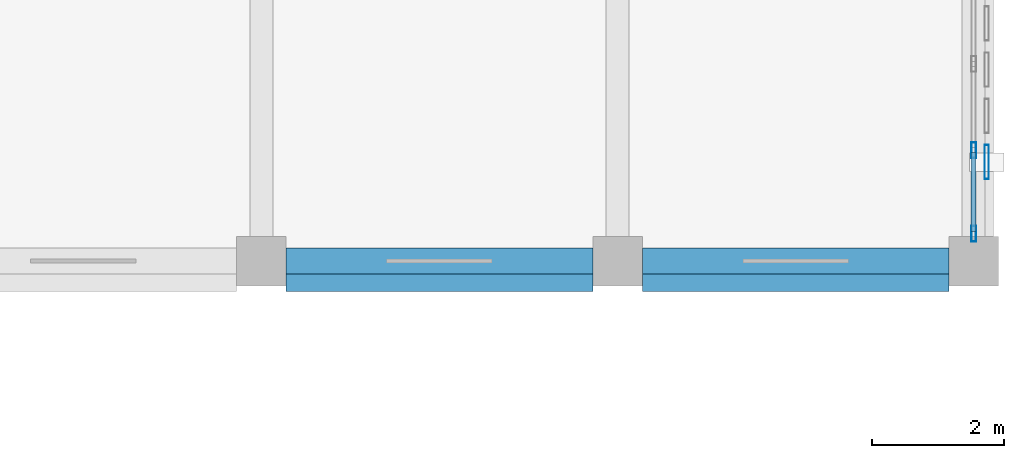
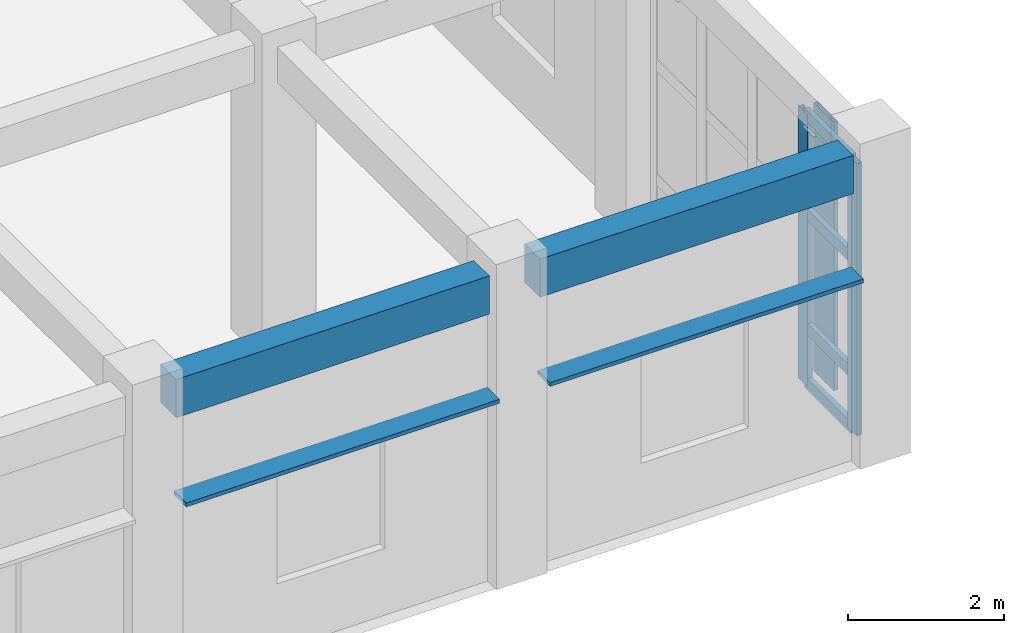
# One storey, part 49 of 93: 9 members, 2 beams, 1 element without a shape of its own.
"""IFC4 building model written with IfcOpenShell, lengths in metres."""

from ifc_helpers import new_model, si_unit, direction, frame, origin, origin_2d, place, context, subcontext, project, spatial, rectangle, hollow_rectangle, extrude, material, layer, layer_set, material_profile, profile_set, type_object, element, aggregate, save


model = new_model("IFC4")

# Units and contexts
model_context = context("Model", 3, precision=1e-05, world=origin(), true_north=direction((0.0, 1.0)))
body_context = subcontext(model_context, "Body", "Model", "MODEL_VIEW")
ifc_project = project(units=[si_unit("LENGTHUNIT", "METRE"), si_unit("AREAUNIT", "SQUARE_METRE"), si_unit("VOLUMEUNIT", "CUBIC_METRE"), si_unit("PLANEANGLEUNIT", "RADIAN"), si_unit("MASSUNIT", "GRAM", prefix="KILO")], contexts=[model_context])

# Site, building, storey
site_placement = place(None, origin())
site = spatial("IfcSite", under=ifc_project, at=site_placement, CompositionType="ELEMENT")
building_placement = place(site_placement, origin())
building = spatial("IfcBuilding", under=site, at=building_placement, Name="Krzemoval Escarpment Law Courts", CompositionType="ELEMENT")
storey_placement = place(building_placement, frame((0.0, 0.0, 10.199951171875)))
storey = spatial("IfcBuildingStorey", under=building, at=storey_placement, Name="L02", CompositionType="ELEMENT", Elevation=10.199951171875)

# Beams
ifc_material_1 = material(Name="Concrete C40/50", Category="concrete")
ifc_material_profile_1 = material_profile(ifc_material_1, rectangle(XDim=0.39990234375, YDim=0.60009765625, at=origin_2d()), Name="RCB 400x600")
ifc_profile_set_1 = profile_set([ifc_material_profile_1], Name="Concrete C40/50")
beam_type = type_object("IfcBeamType", Name="BM-RC-400x600", PredefinedType="BEAM", material=ifc_profile_set_1)
beam_1_placement = place(storey_placement, frame((162.375, 93.60009765625, 4.52001953125), z_axis=(1.0, 0.0, 0.0), x_axis=(0.0, 1.0, 0.0)))
element("IfcBeam", 1, at=beam_1_placement, inside=storey, type_object=beam_type, Name="Beam FG-L02-1817", PredefinedType="BEAM", context=body_context, shape_type="SweptSolid", body=[
    extrude(rectangle(XDim=0.39990234375, YDim=0.60009765625, at=origin_2d()), origin(), (0.0, 0.0, 1.0), 4.64990234375),
])
beam_2_placement = place(storey_placement, frame((167.77490234375, 93.60009765625, 4.52001953125), z_axis=(1.0, 0.0, 0.0), x_axis=(0.0, 1.0, 0.0)))
element("IfcBeam", 2, at=beam_2_placement, inside=storey, type_object=beam_type, Name="Beam FG-L02-1818", PredefinedType="BEAM", context=body_context, shape_type="SweptSolid", body=[
    extrude(rectangle(XDim=0.39990234375, YDim=0.60009765625, at=origin_2d()), origin(), (0.0, 0.0, 1.0), 4.650146484375),
])

# Curtain wall, members
ifc_material_2 = material(Name="Aluminium 6063-T6", Category="aluminium")
ifc_layer = layer(ifc_material_2, 0.239990234375)
ifc_layer_set = layer_set([ifc_layer], Name="Aluminium 6063-T6")
curtain_wall_type = type_object("IfcCurtainWallType", Name="CW-CHMB-4800", PredefinedType="USERDEFINED", material=ifc_layer_set)
curtain_wall_placement = place(storey_placement, origin())
curtain_wall = element("IfcCurtainWall", 3, at=curtain_wall_placement, inside=storey, type_object=curtain_wall_type, Name="Unitised Curtain Wall FCW-L02-092", ObjectType="UNITISED_CURTAIN_WALL", PredefinedType="USERDEFINED")
ifc_material_3 = material(Name="Aluminium 6063-T6", Category="aluminium")
ifc_material_profile_2 = material_profile(ifc_material_3, hollow_rectangle(XDim=0.074951171875, YDim=0.239990234375, WallThickness=0.0048828125, at=origin_2d()), Name="ALU M75x240")
ifc_profile_set_2 = profile_set([ifc_material_profile_2], Name="Aluminium 6063-T6")
member_type_1 = type_object("IfcMemberType", Name="CWM-75x240", PredefinedType="MULLION", material=ifc_profile_set_2)
member_1_placement = place(storey_placement, frame((172.800048828125, 95.28125, 0.0), z_axis=(0.0, 0.0, 1.0), x_axis=(1.0, 0.0, 0.0)))
member_1 = element("IfcMember", 4, at=member_1_placement, type_object=member_type_1, Name="FCW-L02-092 mullion 4", PredefinedType="MULLION", context=body_context, shape_type="SweptSolid", body=[
    extrude(hollow_rectangle(XDim=0.074951171875, YDim=0.239990234375, WallThickness=0.0048828125, at=origin_2d()), origin(), (0.0, 0.0, 1.0), 4.27001953125),
])
member_2_placement = place(storey_placement, frame((172.800048828125, 94.012451171875, 0.0), z_axis=(0.0, 0.0, 1.0), x_axis=(1.0, 0.0, 0.0)))
member_2 = element("IfcMember", 5, at=member_2_placement, type_object=member_type_1, Name="FCW-L02-092 mullion 5", PredefinedType="MULLION", context=body_context, shape_type="SweptSolid", body=[
    extrude(hollow_rectangle(XDim=0.074951171875, YDim=0.239990234375, WallThickness=0.0048828125, at=origin_2d()), origin(), (0.0, 0.0, 1.0), 4.27001953125),
])
ifc_material_4 = material(Name="Aluminium 6063-T6", Category="aluminium")
ifc_material_profile_3 = material_profile(ifc_material_4, hollow_rectangle(XDim=0.074951171875, YDim=0.179931640625, WallThickness=0.0048828125, at=origin_2d()), Name="ALU T75x180")
ifc_profile_set_3 = profile_set([ifc_material_profile_3], Name="Aluminium 6063-T6")
member_type_2 = type_object("IfcMemberType", Name="CWT-75x180", PredefinedType="USERDEFINED", material=ifc_profile_set_3)
member_3_placement = place(storey_placement, frame((172.800048828125, 95.24365234375, 0.03759765625), z_axis=(0.0, -1.0, 0.0), x_axis=(1.0, 0.0, 0.0)))
member_3 = element("IfcMember", 6, at=member_3_placement, type_object=member_type_2, Name="FCW-L02-092 transom 4.1", ObjectType="TRANSOM", PredefinedType="USERDEFINED", context=body_context, shape_type="SweptSolid", body=[
    extrude(hollow_rectangle(XDim=0.074951171875, YDim=0.179931640625, WallThickness=0.0048828125, at=origin_2d()), origin(), (0.0, 0.0, 1.0), 1.193603515625),
])
member_4_placement = place(storey_placement, frame((172.800048828125, 95.24365234375, 0.900146484375), z_axis=(0.0, -1.0, 0.0), x_axis=(1.0, 0.0, 0.0)))
member_4 = element("IfcMember", 7, at=member_4_placement, type_object=member_type_2, Name="FCW-L02-092 transom 4.2", ObjectType="TRANSOM", PredefinedType="USERDEFINED", context=body_context, shape_type="SweptSolid", body=[
    extrude(hollow_rectangle(XDim=0.074951171875, YDim=0.179931640625, WallThickness=0.0048828125, at=origin_2d()), origin(), (0.0, 0.0, 1.0), 1.193603515625),
])
member_5_placement = place(storey_placement, frame((172.800048828125, 95.24365234375, 2.699951171875), z_axis=(0.0, -1.0, 0.0), x_axis=(1.0, 0.0, 0.0)))
member_5 = element("IfcMember", 8, at=member_5_placement, type_object=member_type_2, Name="FCW-L02-092 transom 4.3", ObjectType="TRANSOM", PredefinedType="USERDEFINED", context=body_context, shape_type="SweptSolid", body=[
    extrude(hollow_rectangle(XDim=0.074951171875, YDim=0.179931640625, WallThickness=0.0048828125, at=origin_2d()), origin(), (0.0, 0.0, 1.0), 1.193603515625),
])
member_6_placement = place(storey_placement, frame((172.800048828125, 95.24365234375, 4.232666015625), z_axis=(0.0, -1.0, 0.0), x_axis=(1.0, 0.0, 0.0)))
member_6 = element("IfcMember", 9, at=member_6_placement, type_object=member_type_2, Name="FCW-L02-092 transom 4.4", ObjectType="TRANSOM", PredefinedType="USERDEFINED", context=body_context, shape_type="SweptSolid", body=[
    extrude(hollow_rectangle(XDim=0.074951171875, YDim=0.179931640625, WallThickness=0.0048828125, at=origin_2d()), origin(), (0.0, 0.0, 1.0), 1.193603515625),
])
aggregate(curtain_wall, [member_1, member_2, member_3, member_4, member_5, member_6])

# Members
ifc_material_5 = material(Name="Anodised Aluminium Alloy 6063-T6", Category="aluminium")
ifc_material_profile_4 = material_profile(ifc_material_5, hollow_rectangle(XDim=0.06005859375, YDim=0.320068359375, WallThickness=0.00390625, at=origin_2d()), Name="ALU LVR 60x320")
ifc_profile_set_4 = profile_set([ifc_material_profile_4], Name="Anodised Aluminium Alloy 6063-T6")
member_type_3 = type_object("IfcMemberType", Name="LVR-ALU-320", PredefinedType="USERDEFINED", material=ifc_profile_set_4)
member_7_placement = place(storey_placement, frame((172.425048828125, 93.300048828125, 3.010009765625), z_axis=(-1.0, 0.0, 0.0), x_axis=(0.0, 0.0, 1.0)))
element("IfcMember", 10, at=member_7_placement, inside=storey, type_object=member_type_3, Name="Window Sunshade Louvre FLV-L02-0570", ObjectType="SUNSHADE_LOUVRE", PredefinedType="USERDEFINED", context=body_context, shape_type="SweptSolid", body=[
    extrude(hollow_rectangle(XDim=0.06005859375, YDim=0.320068359375, WallThickness=0.00390625, at=origin_2d()), origin(), (0.0, 0.0, 1.0), 4.650146484375),
])
member_8_placement = place(storey_placement, frame((167.02490234375, 93.300048828125, 3.010009765625), z_axis=(-1.0, 0.0, 0.0), x_axis=(0.0, 0.0, 1.0)))
element("IfcMember", 11, at=member_8_placement, inside=storey, type_object=member_type_3, Name="Window Sunshade Louvre FLV-L02-0571", ObjectType="SUNSHADE_LOUVRE", PredefinedType="USERDEFINED", context=body_context, shape_type="SweptSolid", body=[
    extrude(hollow_rectangle(XDim=0.06005859375, YDim=0.320068359375, WallThickness=0.00390625, at=origin_2d()), origin(), (0.0, 0.0, 1.0), 4.64990234375),
])
ifc_material_6 = material(Name="Anodised Aluminium Alloy 6063-T6", Category="aluminium")
ifc_material_profile_5 = material_profile(ifc_material_6, hollow_rectangle(XDim=0.06494140625, YDim=0.52001953125, WallThickness=0.00439453125, at=origin_2d()), Name="ALU LVR 65x520")
ifc_profile_set_5 = profile_set([ifc_material_profile_5], Name="Anodised Aluminium Alloy 6063-T6")
member_type_4 = type_object("IfcMemberType", Name="LVR-ALU-520", PredefinedType="USERDEFINED", material=ifc_profile_set_5)
member_9_placement = place(storey_placement, frame((173.0, 95.10009765625, 0.06005859375), z_axis=(0.0, 0.0, 1.0), x_axis=(1.0, 0.0, 0.0)))
element("IfcMember", 12, at=member_9_placement, inside=storey, type_object=member_type_4, Name="Sunshade Louvre Fin FLV-L02-0569", ObjectType="SUNSHADE_LOUVRE", PredefinedType="USERDEFINED", context=body_context, shape_type="SweptSolid", body=[
    extrude(hollow_rectangle(XDim=0.06494140625, YDim=0.52001953125, WallThickness=0.00439453125, at=origin_2d()), origin(), (0.0, 0.0, 1.0), 4.2099609375),
])

save(model, "model.ifc")
